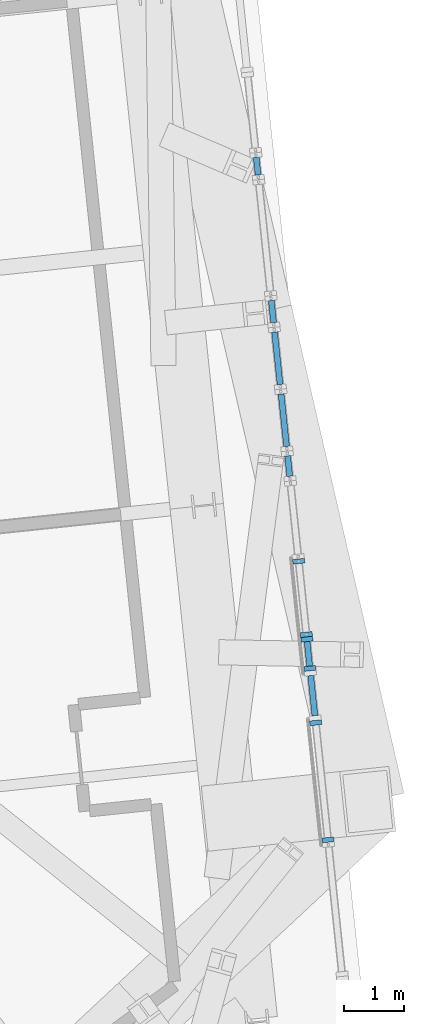
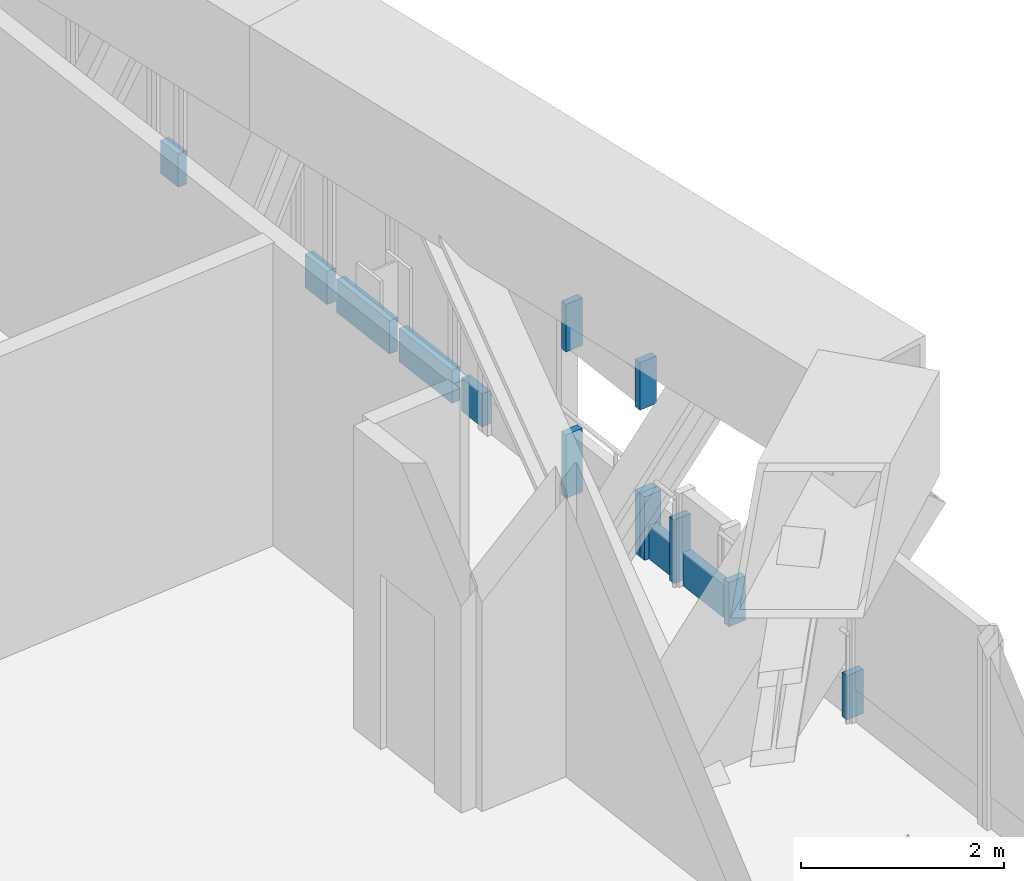
# One storey, part 11 of 30: 15 members, 10 elements without a shape of their own.
"""IFC4 building model written with IfcOpenShell, lengths in metres."""

from ifc_helpers import new_model, si_unit, direction, frame, origin, origin_2d, place, context, subcontext, project, spatial, rectangle, extrude, source, transform, mapped, material, material_profile, profile_set, type_object, element, aggregate, save


model = new_model("IFC4")

# Units and contexts
model_context = context("Model", 3, precision=1e-05, world=origin(), true_north=direction((0.0, 1.0)))
body_context = subcontext(model_context, "Body", "Model", "MODEL_VIEW")
ifc_project = project(units=[si_unit("LENGTHUNIT", "METRE"), si_unit("AREAUNIT", "SQUARE_METRE"), si_unit("VOLUMEUNIT", "CUBIC_METRE"), si_unit("PLANEANGLEUNIT", "RADIAN"), si_unit("MASSUNIT", "GRAM", prefix="KILO")], contexts=[model_context])

# Site, building, storey
site_placement = place(None, origin())
site = spatial("IfcSite", under=ifc_project, at=site_placement, CompositionType="ELEMENT")
building_placement = place(site_placement, origin())
building = spatial("IfcBuilding", under=site, at=building_placement, Name="Triune Harvest Tower", CompositionType="ELEMENT")
storey_placement = place(building_placement, frame((0.0, 0.0, 94.5)))
storey = spatial("IfcBuildingStorey", under=building, at=storey_placement, Name="L23", CompositionType="ELEMENT", Elevation=94.5)

# Curtain wall, member
ifc_material_1 = material(Name="Aluminium bronze anodised", Category="aluminium")
curtain_wall_type = type_object("IfcCurtainWallType", Name="CW-5 Plant louvre wall", PredefinedType="NOTDEFINED", material=ifc_material_1)
curtain_wall_1_placement = place(storey_placement, origin())
curtain_wall_1 = element("IfcCurtainWall", 1, at=curtain_wall_1_placement, inside=storey, type_object=curtain_wall_type, Name="CW-5 B2-F1 L23 run 401")
ifc_material_2 = material(Name="Aluminium bronze anodised", Category="aluminium")
ifc_material_profile_1 = material_profile(ifc_material_2, rectangle(XDim=0.10009765625, YDim=0.39990234375, at=origin_2d()), Name="TR-5 transom 100 x 400")
ifc_profile_set_1 = profile_set([ifc_material_profile_1], Name="Aluminium bronze anodised")
member_type_1 = type_object("IfcMemberType", Name="TR-5 transom 100 x 400", PredefinedType="USERDEFINED", material=ifc_profile_set_1)
member_1_placement = place(storey_placement, frame((24.683837890625, -17.70849609375, 0.199951171875), z_axis=(-0.104069162319, 0.994570062617, 0.0), x_axis=(-0.994570062617, -0.104069162319, 0.0)))
member_1 = element("IfcMember", 2, at=member_1_placement, type_object=member_type_1, Name="CW-5 transom B2-F1 401.1", ObjectType="TRANSOM", PredefinedType="USERDEFINED", context=body_context, shape_type="SweptSolid", body=[
    extrude(rectangle(XDim=0.10009765625, YDim=0.39990234375, at=origin_2d()), origin(), (0.0, 0.0, 1.0), 0.412841796875),
])

curtain_wall_2_placement = place(storey_placement, origin())
curtain_wall_2 = element("IfcCurtainWall", 3, at=curtain_wall_2_placement, inside=storey, type_object=curtain_wall_type, Name="CW-5 B2-F1 L23 run 801")
member_2_placement = place(storey_placement, frame((24.348876953125, -14.5205078125, 0.199951171875), z_axis=(-0.104131650808, 0.994563522003, 0.0), x_axis=(-0.994563522003, -0.104131650808, 0.0)))
member_2 = element("IfcMember", 4, at=member_2_placement, type_object=member_type_1, Name="CW-5 transom B2-F1 801.1", ObjectType="TRANSOM", PredefinedType="USERDEFINED", context=body_context, shape_type="SweptSolid", body=[
    extrude(rectangle(XDim=0.10009765625, YDim=0.39990234375, at=origin_2d()), origin(), (0.0, 0.0, 1.0), 0.3447265625),
])
aggregate(curtain_wall_2, [member_2])

curtain_wall_3_placement = place(storey_placement, origin())
curtain_wall_3 = element("IfcCurtainWall", 5, at=curtain_wall_3_placement, inside=storey, type_object=curtain_wall_type, Name="CW-5 B2-F1 L23 run 901")
member_3_placement = place(storey_placement, frame((24.296142578125, -14.0185546875, 0.199951171875), z_axis=(-0.104498198983, 0.994525075807, 0.0), x_axis=(-0.994525075807, -0.104498198983, 0.0)))
member_3 = element("IfcMember", 6, at=member_3_placement, type_object=member_type_1, Name="CW-5 transom B2-F1 901.1", ObjectType="TRANSOM", PredefinedType="USERDEFINED", context=body_context, shape_type="SweptSolid", body=[
    extrude(rectangle(XDim=0.10009765625, YDim=0.39990234375, at=origin_2d()), origin(), (0.0, 0.0, 1.0), 0.885498046875),
])
aggregate(curtain_wall_3, [member_3])

curtain_wall_4_placement = place(storey_placement, origin())
curtain_wall_4 = element("IfcCurtainWall", 7, at=curtain_wall_4_placement, inside=storey, type_object=curtain_wall_type, Name="CW-5 B2-F1 L23 run 1101")
member_4_placement = place(storey_placement, frame((24.07763671875, -11.938720703125, 0.199951171875), z_axis=(-0.104513699976, 0.994523446942, 0.0), x_axis=(-0.994523446942, -0.104513699976, 0.0)))
member_4 = element("IfcMember", 8, at=member_4_placement, type_object=member_type_1, Name="CW-5 transom B2-F1 1101.1", ObjectType="TRANSOM", PredefinedType="USERDEFINED", context=body_context, shape_type="SweptSolid", body=[
    extrude(rectangle(XDim=0.10009765625, YDim=0.39990234375, at=origin_2d()), origin(), (0.0, 0.0, 1.0), 0.371337890625),
])
aggregate(curtain_wall_4, [member_4])

curtain_wall_5_placement = place(storey_placement, origin())
curtain_wall_5 = element("IfcCurtainWall", 9, at=curtain_wall_5_placement, inside=storey, type_object=curtain_wall_type, Name="CW-5 B2-F1 L23 run 1301")
member_5_placement = place(storey_placement, frame((23.817138671875, -9.460205078125, 0.199951171875), z_axis=(-0.104899763791, 0.994482800031, 0.0), x_axis=(-0.994482800031, -0.104899763791, 0.0)))
member_5 = element("IfcMember", 10, at=member_5_placement, type_object=member_type_1, Name="CW-5 transom B2-F1 1301.1", ObjectType="TRANSOM", PredefinedType="USERDEFINED", context=body_context, shape_type="SweptSolid", body=[
    extrude(rectangle(XDim=0.10009765625, YDim=0.39990234375, at=origin_2d()), origin(), (0.0, 0.0, 1.0), 0.295654296875),
])
aggregate(curtain_wall_5, [member_5])

# Curtain wall, members
curtain_wall_6_placement = place(storey_placement, origin())
curtain_wall_6 = element("IfcCurtainWall", 11, at=curtain_wall_6_placement, inside=storey, type_object=curtain_wall_type, Name="CW-5 B2-F1 L23 run 201")
ifc_material_3 = material(Name="Aluminium bronze anodised", Category="aluminium")
ifc_material_profile_2 = material_profile(ifc_material_3, rectangle(XDim=0.199951171875, YDim=0.080078125, at=origin_2d()), Name="MU-5 mullion 80 x 200")
ifc_profile_set_2 = profile_set([ifc_material_profile_2], Name="Aluminium bronze anodised")
member_type_2 = type_object("IfcMemberType", Name="MU-5 mullion 80 x 200", PredefinedType="MULLION", material=ifc_profile_set_2)
shared_shape_1 = source(origin(), body_context, "Body", "SweptSolid", [
    extrude(rectangle(XDim=0.199951171875, YDim=0.080078125, at=origin_2d()), origin(), (0.0, 0.0, 1.0), 0.531982421875),
])
member_6_placement = place(storey_placement, frame((24.99072265625, -20.626953125, 0.0), z_axis=(0.0, 0.0, 1.0), x_axis=(-0.994524081396, -0.104507662511, 0.0)))
member_6 = element("IfcMember", 12, at=member_6_placement, type_object=member_type_2, Name="CW-5 mullion B2-F1 201.1", PredefinedType="MULLION", context=body_context, shape_type="MappedRepresentation", body=[
    mapped(shared_shape_1, transform((0.0, 0.0, 0.0), scale=1.0)),
])
member_7_placement = place(storey_placement, frame((24.7841796875, -18.660400390625, 0.0), z_axis=(0.0, 0.0, 1.0), x_axis=(-0.994524081396, -0.104507662511, 0.0)))
member_7 = element("IfcMember", 13, at=member_7_placement, type_object=member_type_2, Name="CW-5 mullion B2-F1 201.2", PredefinedType="MULLION", context=body_context, shape_type="MappedRepresentation", body=[
    mapped(shared_shape_1, transform((0.0, 0.0, 0.0), scale=1.0)),
])
aggregate(curtain_wall_6, [member_6, member_7])

# Curtain wall, member
curtain_wall_7_placement = place(storey_placement, origin())
curtain_wall_7 = element("IfcCurtainWall", 14, at=curtain_wall_7_placement, inside=storey, type_object=curtain_wall_type, Name="CW-5 B2-F1 L23 run 301")
shared_shape_2 = source(origin(), body_context, "Body", "SweptSolid", [
    extrude(rectangle(XDim=0.10009765625, YDim=0.39990234375, at=origin_2d()), origin(), (0.0, 0.0, 1.0), 0.67724609375),
])
member_8_placement = place(storey_placement, frame((24.771484375, -18.541259765625, 0.199951171875), z_axis=(-0.104534672129, 0.994521242771, 0.0), x_axis=(-0.994521242771, -0.104534672129, 0.0)))
member_8 = element("IfcMember", 15, at=member_8_placement, type_object=member_type_1, Name="CW-5 transom B2-F1 301.1", ObjectType="TRANSOM", PredefinedType="USERDEFINED", context=body_context, shape_type="MappedRepresentation", body=[
    mapped(shared_shape_2, transform((0.0, 0.0, 0.0), scale=1.0)),
])
aggregate(curtain_wall_7, [member_8])

# Member
shared_shape_3 = source(origin(), body_context, "Body", "SweptSolid", [
    extrude(rectangle(XDim=0.199951171875, YDim=0.080078125, at=origin_2d()), origin(), (0.0, 0.0, 1.0), 0.7626953125),
])
member_9_placement = place(storey_placement, frame((24.688232421875, -17.748291015625, 0.0), z_axis=(0.0, 0.0, 1.0), x_axis=(-0.99453792228, -0.104375864775, 0.0)))
member_9 = element("IfcMember", 16, at=member_9_placement, type_object=member_type_2, Name="CW-5 mullion B2-F1 401.1", PredefinedType="MULLION", context=body_context, shape_type="MappedRepresentation", body=[
    mapped(shared_shape_3, transform((0.0, 0.0, 0.0), scale=1.0)),
])

member_10_placement = place(storey_placement, frame((24.63671875, -17.258056640625, 0.0), z_axis=(0.0, 0.0, 1.0), x_axis=(-0.99453792228, -0.104375864775, 0.0)))
member_10 = element("IfcMember", 17, at=member_10_placement, type_object=member_type_2, Name="CW-5 mullion B2-F1 401.2", PredefinedType="MULLION", context=body_context, shape_type="MappedRepresentation", body=[
    mapped(shared_shape_3, transform((0.0, 0.0, 0.0), scale=1.0)),
])

aggregate(curtain_wall_1, [member_9, member_10, member_1])

# Curtain wall, members
curtain_wall_8_placement = place(storey_placement, origin())
curtain_wall_8 = element("IfcCurtainWall", 18, at=curtain_wall_8_placement, inside=storey, type_object=curtain_wall_type, Name="CW-5 B2-F1 L23 run 501")
member_11_placement = place(storey_placement, frame((24.62841796875, -17.178466796875, 0.0), z_axis=(0.0, 0.0, 1.0), x_axis=(-0.994521259947, -0.104534508721, 0.0)))
member_11 = element("IfcMember", 19, at=member_11_placement, type_object=member_type_2, Name="CW-5 mullion B2-F1 501.1", PredefinedType="MULLION", context=body_context, shape_type="MappedRepresentation", body=[
    mapped(shared_shape_3, transform((0.0, 0.0, 0.0), scale=1.0)),
])
member_12_placement = place(storey_placement, frame((24.4990234375, -15.948974609375, 0.0), z_axis=(0.0, 0.0, 1.0), x_axis=(-0.994521259947, -0.104534508721, 0.0)))
member_12 = element("IfcMember", 20, at=member_12_placement, type_object=member_type_2, Name="CW-5 mullion B2-F1 501.2", PredefinedType="MULLION", context=body_context, shape_type="MappedRepresentation", body=[
    mapped(shared_shape_3, transform((0.0, 0.0, 0.0), scale=1.0)),
])
aggregate(curtain_wall_8, [member_11, member_12])

curtain_wall_9_placement = place(storey_placement, origin())
curtain_wall_9 = element("IfcCurtainWall", 21, at=curtain_wall_9_placement, inside=storey, type_object=curtain_wall_type, Name="CW-5 B2-F1 L23 run 601")
shared_shape_4 = source(origin(), body_context, "Body", "SweptSolid", [
    extrude(rectangle(XDim=0.199951171875, YDim=0.080078125, at=origin_2d()), origin(), (0.0, 0.0, 1.0), 0.57080078125),
])
member_13_placement = place(storey_placement, frame((24.62841796875, -17.178466796875, 1.75927734375), z_axis=(0.0, 0.0, 1.0), x_axis=(-0.994521259947, -0.104534508721, 0.0)))
member_13 = element("IfcMember", 22, at=member_13_placement, type_object=member_type_2, Name="CW-5 mullion B2-F1 601.1", PredefinedType="MULLION", context=body_context, shape_type="MappedRepresentation", body=[
    mapped(shared_shape_4, transform((0.0, 0.0, 0.0), scale=1.0)),
])
member_14_placement = place(storey_placement, frame((24.4990234375, -15.948974609375, 1.75927734375), z_axis=(0.0, 0.0, 1.0), x_axis=(-0.994521259947, -0.104534508721, 0.0)))
member_14 = element("IfcMember", 23, at=member_14_placement, type_object=member_type_2, Name="CW-5 mullion B2-F1 601.2", PredefinedType="MULLION", context=body_context, shape_type="MappedRepresentation", body=[
    mapped(shared_shape_4, transform((0.0, 0.0, 0.0), scale=1.0)),
])
aggregate(curtain_wall_9, [member_13, member_14])

# Curtain wall, member
curtain_wall_10_placement = place(storey_placement, origin())
curtain_wall_10 = element("IfcCurtainWall", 24, at=curtain_wall_10_placement, inside=storey, type_object=curtain_wall_type, Name="CW-5 B2-F1 L23 run 1001")
shared_shape_5 = source(origin(), body_context, "Body", "SweptSolid", [
    extrude(rectangle(XDim=0.10009765625, YDim=0.39990234375, at=origin_2d()), origin(), (0.0, 0.0, 1.0), 0.8857421875),
])
member_15_placement = place(storey_placement, frame((24.186767578125, -12.978759765625, 0.199951171875), z_axis=(-0.104469552209, 0.994528085406, 0.0), x_axis=(-0.994528085406, -0.104469552209, 0.0)))
member_15 = element("IfcMember", 25, at=member_15_placement, type_object=member_type_1, Name="CW-5 transom B2-F1 1001.1", ObjectType="TRANSOM", PredefinedType="USERDEFINED", context=body_context, shape_type="MappedRepresentation", body=[
    mapped(shared_shape_5, transform((0.0, 0.0, 0.0), scale=1.0)),
])
aggregate(curtain_wall_10, [member_15])

save(model, "model.ifc")
